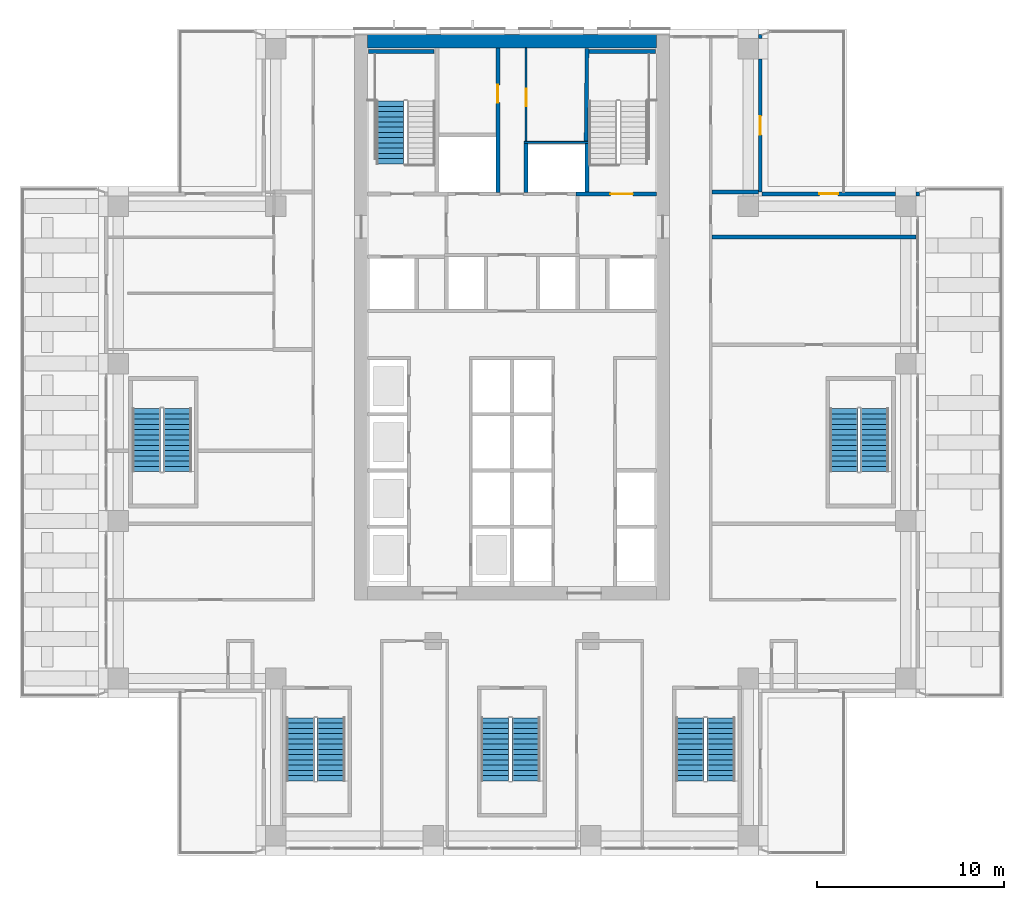
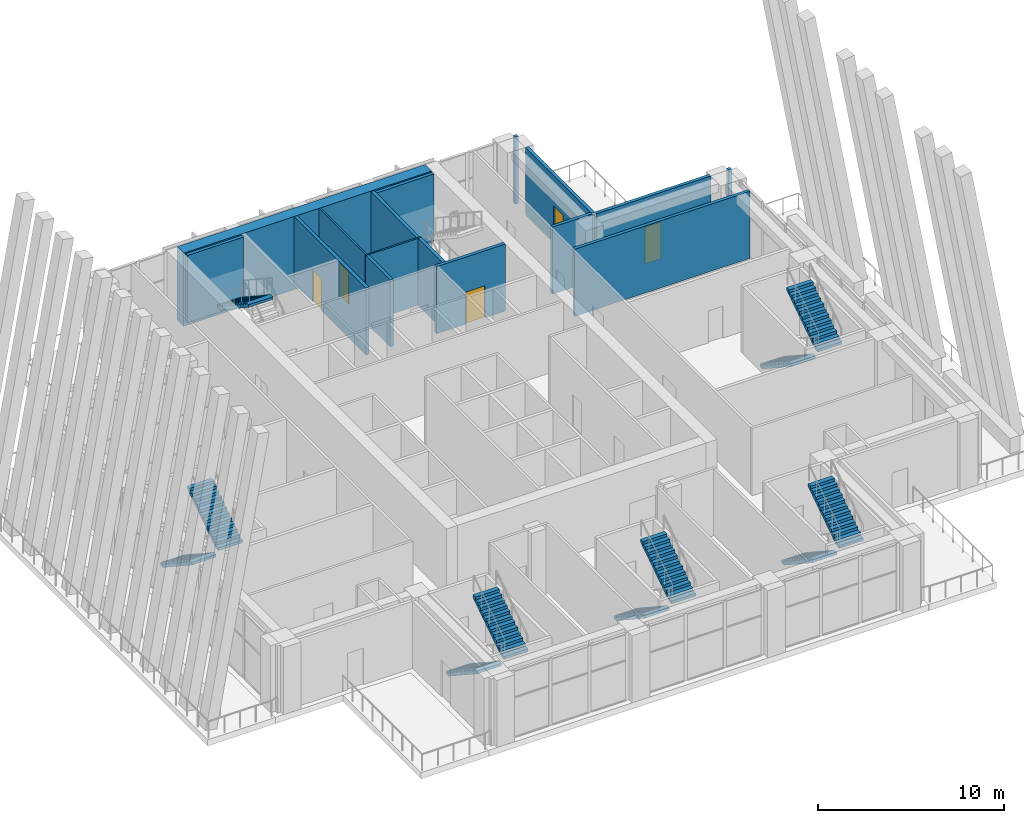
# One storey, part 12 of 19: 16 walls, 11 stair flights, 5 doors, 5 openings, 6 elements without a shape of their own.
"""IFC4 building model written with IfcOpenShell, lengths in metres."""

from ifc_helpers import new_model, si_unit, direction, frame, frame_2d, origin, place, context, subcontext, project, spatial, polyline, rectangle, outline, extrude, material, layer, layer_set, type_object, element, fill, aggregate, save


model = new_model("IFC4")

# Units and contexts
model_context = context("Model", 3, precision=1e-05, world=origin(), true_north=direction((0.0, 1.0)))
body_context = subcontext(model_context, "Body", "Model", "MODEL_VIEW")
ifc_project = project(units=[si_unit("LENGTHUNIT", "METRE"), si_unit("AREAUNIT", "SQUARE_METRE"), si_unit("VOLUMEUNIT", "CUBIC_METRE"), si_unit("PLANEANGLEUNIT", "RADIAN"), si_unit("MASSUNIT", "GRAM", prefix="KILO")], contexts=[model_context])

# Site, building, storey
site_placement = place(None, origin())
site = spatial("IfcSite", under=ifc_project, at=site_placement, CompositionType="ELEMENT")
building_placement = place(site_placement, origin())
building = spatial("IfcBuilding", under=site, at=building_placement, Name="Vermilion Ogive Tower", CompositionType="ELEMENT")
storey_placement = place(building_placement, frame((0.0, 0.0, 128.300048828125)))
storey = spatial("IfcBuildingStorey", under=building, at=storey_placement, Name="L32", CompositionType="ELEMENT", Elevation=128.300048828125)

# Walls
ifc_material_1 = material(Name="Concrete B60", Category="concrete")
ifc_layer_1 = layer(ifc_material_1, 0.699951171875)
ifc_layer_set_1 = layer_set([ifc_layer_1], Name="Core wall 700 B60")
wall_type_1 = type_object("IfcWallType", Name="Core wall 700 B60", PredefinedType="SHEAR", material=ifc_layer_set_1)
wall_1_placement = place(storey_placement, frame((-7.699951171875, 21.39990234375, -0.400146484375), z_axis=(0.0, 0.0, 1.0), x_axis=(1.0, 0.0, 0.0)))
element("IfcWall", 1, at=wall_1_placement, inside=storey, type_object=wall_type_1, Name="L32-CORE-N", PredefinedType="SHEAR", context=body_context, shape_type="SweptSolid", body=[
    extrude(rectangle(XDim=15.39990234375, YDim=0.699951171875, at=frame_2d((7.699951171875, 0.0))), origin(), (0.0, 0.0, 1.0), 4.800048828125),
])
ifc_material_2 = material(Name="Gypsum board partition on steel studs", Category="steel")
ifc_layer_2 = layer(ifc_material_2, 0.10009765625)
ifc_layer_set_2 = layer_set([ifc_layer_2], Name="Partition 100 bath")
wall_type_2 = type_object("IfcWallType", Name="Partition 100 bath", PredefinedType="PARTITIONING", material=ifc_layer_set_2)
wall_2_placement = place(storey_placement, frame((0.64990234375, 16.0, 0.0), z_axis=(0.0, 0.0, 1.0), x_axis=(1.0, 0.0, 0.0)))
element("IfcWall", 2, at=wall_2_placement, inside=storey, type_object=wall_type_2, Name="L32-CK-W-W019", PredefinedType="PARTITIONING", context=body_context, shape_type="SweptSolid", body=[
    extrude(rectangle(XDim=3.4501953125, YDim=0.10009765625, at=frame_2d((1.72509765625, 0.0))), origin(), (0.0, 0.0, 1.0), 4.39990234375),
])

# Wall, opening, door
wall_3_placement = place(storey_placement, frame((0.75, 16.050048828125, 0.0), z_axis=(0.0, 0.0, 1.0), x_axis=(0.0, 1.0, 0.0)))
wall_3 = element("IfcWall", 3, at=wall_3_placement, inside=storey, type_object=wall_type_2, Name="L32-CK-W-W031", PredefinedType="PARTITIONING", context=body_context, shape_type="SweptSolid", body=[
    extrude(rectangle(XDim=4.9990234375, YDim=0.10009765625, at=frame_2d((2.49951171875, 0.0))), origin(), (0.0, 0.0, 1.0), 4.39990234375),
])
opening_1_placement = place(wall_3_placement, frame((1.875, 0.0, 0.0)))
opening_1 = element("IfcOpeningElement", 4, at=opening_1_placement, cuts=wall_3, Name="Opening DAN008", PredefinedType="OPENING", context=body_context, shape_type="SweptSolid", body=[
    extrude(rectangle(XDim=0.949951171875, YDim=2.10009765625, at=frame_2d((0.47509765625, 1.050048828125))), frame((0.0, 0.06005859375, 0.0), z_axis=(0.0, -1.0, 0.0), x_axis=(1.0, 0.0, 0.0)), (0.0, 0.0, 1.0), 0.1201171875),
])
ifc_material_3 = material(Name="Timber door leaf", Category="wood")
door_type_1 = type_object("IfcDoorType", Name="Service door 950 x 2100 FD60", OperationType="SINGLE_SWING_LEFT", PredefinedType="DOOR", material=ifc_material_3)
door_1_placement = place(opening_1_placement, origin())
door_1 = element("IfcDoor", 5, at=door_1_placement, inside=storey, type_object=door_type_1, Name="L32-CK-D-D023", OperationType="SINGLE_SWING_LEFT", OverallHeight=2.10009765625, OverallWidth=0.949951171875, PredefinedType="DOOR", context=body_context, shape_type="SweptSolid", body=[
    extrude(rectangle(XDim=0.949951171875, YDim=2.10009765625, at=frame_2d((0.47509765625, 1.050048828125))), frame((0.0, 0.02490234375, 0.0), z_axis=(0.0, -1.0, 0.0), x_axis=(1.0, 0.0, 0.0)), (0.0, 0.0, 1.0), 0.050048828125),
])
fill(opening_1, door_1)

# Walls
ifc_material_4 = material(Name="Gypsum board partition on steel studs", Category="steel")
ifc_layer_3 = layer(ifc_material_4, 0.199951171875)
ifc_layer_set_3 = layer_set([ifc_layer_3], Name="Partition 200 party")
wall_type_3 = type_object("IfcWallType", Name="Partition 200 party", PredefinedType="PARTITIONING", material=ifc_layer_set_3)
wall_4_placement = place(storey_placement, frame((10.675048828125, 10.949951171875, 0.0), z_axis=(0.0, 0.0, 1.0), x_axis=(1.0, 0.0, 0.0)))
element("IfcWall", 6, at=wall_4_placement, inside=storey, type_object=wall_type_3, Name="L32-FS-W-W016", PredefinedType="PARTITIONING", context=body_context, shape_type="SweptSolid", body=[
    extrude(rectangle(XDim=10.875, YDim=0.199951171875, at=frame_2d((5.4375, 0.0))), origin(), (0.0, 0.0, 1.0), 4.39990234375),
])
wall_5_placement = place(storey_placement, frame((10.675048828125, 13.35009765625, 0.0), z_axis=(0.0, 0.0, 1.0), x_axis=(1.0, 0.0, 0.0)))
element("IfcWall", 7, at=wall_5_placement, inside=storey, type_object=wall_type_3, Name="L32-FS-W-W019", PredefinedType="PARTITIONING", context=body_context, shape_type="SweptSolid", body=[
    extrude(rectangle(XDim=2.474853515625, YDim=0.199951171875, at=frame_2d((1.2373046875, 0.0))), origin(), (0.0, 0.0, 1.0), 4.39990234375),
])

# Wall, opening, door
wall_6_placement = place(storey_placement, frame((-0.75, 13.324951171875, 0.0), z_axis=(0.0, 0.0, 1.0), x_axis=(0.0, 1.0, 0.0)))
wall_6 = element("IfcWall", 8, at=wall_6_placement, inside=storey, type_object=wall_type_3, Name="L32-CK-W-W028", PredefinedType="PARTITIONING", context=body_context, shape_type="SweptSolid", body=[
    extrude(rectangle(XDim=7.72412109375, YDim=0.199951171875, at=frame_2d((3.862060546875, 0.0))), origin(), (0.0, 0.0, 1.0), 4.39990234375),
])
opening_2_placement = place(wall_6_placement, frame((4.800048828125, 0.0, 0.0)))
opening_2 = element("IfcOpeningElement", 9, at=opening_2_placement, cuts=wall_6, Name="Opening DAN007", PredefinedType="OPENING", context=body_context, shape_type="SweptSolid", body=[
    extrude(rectangle(XDim=0.949951171875, YDim=2.10009765625, at=frame_2d((0.47509765625, 1.050048828125))), frame((0.0, 0.10986328125, 0.0), z_axis=(0.0, -1.0, 0.0), x_axis=(1.0, 0.0, 0.0)), (0.0, 0.0, 1.0), 0.219970703125),
])
door_2_placement = place(opening_2_placement, origin())
door_2 = element("IfcDoor", 10, at=door_2_placement, inside=storey, type_object=door_type_1, Name="L32-CK-D-D022", OperationType="SINGLE_SWING_RIGHT", OverallHeight=2.10009765625, OverallWidth=0.949951171875, PredefinedType="DOOR", context=body_context, shape_type="SweptSolid", body=[
    extrude(rectangle(XDim=0.949951171875, YDim=2.10009765625, at=frame_2d((0.47509765625, 1.050048828125))), frame((0.0, 0.02490234375, 0.0), z_axis=(0.0, -1.0, 0.0), x_axis=(1.0, 0.0, 0.0)), (0.0, 0.0, 1.0), 0.050048828125),
])
fill(opening_2, door_2)

# Wall
wall_7_placement = place(storey_placement, frame((0.75, 13.324951171875, 0.0), z_axis=(0.0, 0.0, 1.0), x_axis=(0.0, 1.0, 0.0)))
element("IfcWall", 11, at=wall_7_placement, inside=storey, type_object=wall_type_3, Name="L32-CK-W-W030", PredefinedType="PARTITIONING", context=body_context, shape_type="SweptSolid", body=[
    extrude(rectangle(XDim=2.625, YDim=0.199951171875, at=frame_2d((1.3125, 0.0))), origin(), (0.0, 0.0, 1.0), 4.39990234375),
])

# Wall, opening, door
ifc_material_5 = material(Name="Concrete B60", Category="concrete")
ifc_layer_4 = layer(ifc_material_5, 0.199951171875)
ifc_layer_set_4 = layer_set([ifc_layer_4], Name="Stair shaft wall 200 Concrete B60")
wall_type_4 = type_object("IfcWallType", Name="Stair shaft wall 200 Concrete B60", PredefinedType="SOLIDWALL", material=ifc_layer_set_4)
wall_8_placement = place(storey_placement, frame((3.425048828125, 13.25, 0.0), z_axis=(0.0, 0.0, 1.0), x_axis=(1.0, 0.0, 0.0)))
wall_8 = element("IfcWall", 12, at=wall_8_placement, inside=storey, type_object=wall_type_4, Name="L32-CK-W-W018", PredefinedType="SOLIDWALL", context=body_context, shape_type="SweptSolid", body=[
    extrude(rectangle(XDim=4.27392578125, YDim=0.199951171875, at=frame_2d((2.136962890625, 0.0))), origin(), (0.0, 0.0, 1.0), 4.39990234375),
])
opening_3_placement = place(wall_8_placement, frame((1.824951171875, 0.0, 0.0)))
opening_3 = element("IfcOpeningElement", 13, at=opening_3_placement, cuts=wall_8, Name="Opening DAN010", PredefinedType="OPENING", context=body_context, shape_type="SweptSolid", body=[
    extrude(rectangle(XDim=1.199951171875, YDim=2.10009765625, at=frame_2d((0.60009765625, 1.050048828125))), frame((0.0, 0.10986328125, 0.0), z_axis=(0.0, -1.0, 0.0), x_axis=(1.0, 0.0, 0.0)), (0.0, 0.0, 1.0), 0.219970703125),
])
ifc_material_6 = material(Name="Timber door leaf", Category="wood")
door_type_2 = type_object("IfcDoorType", Name="Stair door 1200 x 2100 FD60S", OperationType="SINGLE_SWING_LEFT", PredefinedType="DOOR", material=ifc_material_6)
door_3_placement = place(opening_3_placement, origin())
door_3 = element("IfcDoor", 14, at=door_3_placement, inside=storey, type_object=door_type_2, Name="L32-CK-D-D015", OperationType="SINGLE_SWING_RIGHT", OverallHeight=2.10009765625, OverallWidth=1.199951171875, PredefinedType="DOOR", context=body_context, shape_type="SweptSolid", body=[
    extrude(rectangle(XDim=1.199951171875, YDim=2.10009765625, at=frame_2d((0.60009765625, 1.050048828125))), frame((0.0, 0.02490234375, 0.0), z_axis=(0.0, -1.0, 0.0), x_axis=(1.0, 0.0, 0.0)), (0.0, 0.0, 1.0), 0.050048828125),
])
fill(opening_3, door_3)

# Walls
wall_9_placement = place(storey_placement, frame((4.0, 13.35009765625, 0.0), z_axis=(0.0, 0.0, 1.0), x_axis=(0.0, 1.0, 0.0)))
element("IfcWall", 15, at=wall_9_placement, inside=storey, type_object=wall_type_4, Name="L32-CK-W-W036", PredefinedType="SOLIDWALL", context=body_context, shape_type="SweptSolid", body=[
    extrude(rectangle(XDim=2.599853515625, YDim=0.199951171875, at=frame_2d((1.2998046875, 0.0))), origin(), (0.0, 0.0, 1.0), 4.39990234375),
])
wall_10_placement = place(storey_placement, frame((3.949951171875, 16.050048828125, 0.0), z_axis=(0.0, 0.0, 1.0), x_axis=(0.010112452169, 0.999948867848, 0.0)))
element("IfcWall", 16, at=wall_10_placement, inside=storey, type_object=wall_type_4, Name="L32-CK-W-W037", PredefinedType="SOLIDWALL", context=body_context, shape_type="SweptSolid", body=[
    extrude(rectangle(XDim=4.94921875, YDim=0.199951171875, at=frame_2d((2.474609375, 0.0))), origin(), (0.0, 0.0, 1.0), 4.39990234375),
])
wall_11_placement = place(storey_placement, frame((-7.64990234375, 20.85009765625, 0.0), z_axis=(0.0, 0.0, 1.0), x_axis=(1.0, 0.0, 0.0)))
element("IfcWall", 17, at=wall_11_placement, inside=storey, type_object=wall_type_4, Name="L32-SW-R022-N1", PredefinedType="SOLIDWALL", context=body_context, shape_type="SweptSolid", body=[
    extrude(rectangle(XDim=3.5, YDim=0.199951171875, at=frame_2d((1.75, 0.0))), origin(), (0.0, 0.0, 1.0), 4.39990234375),
])
wall_12_placement = place(storey_placement, frame((4.10009765625, 20.85009765625, 0.0), z_axis=(0.0, 0.0, 1.0), x_axis=(1.0, 0.0, 0.0)))
element("IfcWall", 18, at=wall_12_placement, inside=storey, type_object=wall_type_4, Name="L32-SW-R026-N1", PredefinedType="SOLIDWALL", context=body_context, shape_type="SweptSolid", body=[
    extrude(rectangle(XDim=3.5498046875, YDim=0.199951171875, at=frame_2d((1.77490234375, 0.0))), origin(), (0.0, 0.0, 1.0), 4.39990234375),
])
ifc_material_7 = material(Name="Aluminium window wall framing", Category="aluminium")
ifc_layer_5 = layer(ifc_material_7, 0.199951171875)
ifc_layer_set_5 = layer_set([ifc_layer_5], Name="Window wall")
wall_type_5 = type_object("IfcWallType", Name="Window wall", PredefinedType="STANDARD", material=ifc_layer_set_5)
wall_13_placement = place(storey_placement, frame((21.64990234375, 13.14990234375, 0.0), z_axis=(0.0, 0.0, 1.0), x_axis=(0.0, 1.0, 0.0)))
element("IfcWall", 19, at=wall_13_placement, inside=storey, type_object=wall_type_5, Name="Window wall E4", PredefinedType="STANDARD", context=body_context, shape_type="SweptSolid", body=[
    extrude(rectangle(XDim=0.2001953125, YDim=0.199951171875, at=frame_2d((0.10009765625, 0.0))), origin(), (0.0, 0.0, 1.0), 4.39990234375),
])

# Wall, opening, door
wall_14_placement = place(storey_placement, frame((20.449951171875, 13.25, 0.0), z_axis=(0.0, 0.0, 1.0), x_axis=(-1.0, 0.0, 0.0)))
wall_14 = element("IfcWall", 20, at=wall_14_placement, inside=storey, type_object=wall_type_5, Name="Window wall X31", PredefinedType="STANDARD", context=body_context, shape_type="SweptSolid", body=[
    extrude(rectangle(XDim=7.099853515625, YDim=0.199951171875, at=frame_2d((3.5498046875, 0.0))), origin(), (0.0, 0.0, 1.0), 4.39990234375),
])
opening_4_placement = place(wall_14_placement, frame((3.050048828125, 0.0, 0.0)))
opening_4 = element("IfcOpeningElement", 21, at=opening_4_placement, cuts=wall_14, Name="Opening D1-X3X", PredefinedType="OPENING", context=body_context, shape_type="SweptSolid", body=[
    extrude(rectangle(XDim=1.0, YDim=2.39990234375, at=frame_2d((0.5, 1.199951171875))), frame((0.0, 0.10986328125, 0.0), z_axis=(0.0, -1.0, 0.0), x_axis=(1.0, 0.0, 0.0)), (0.0, 0.0, 1.0), 0.219970703125),
])
ifc_material_8 = material(Name="Aluminium framed glazed door", Category="aluminium")
door_type_3 = type_object("IfcDoorType", Name="Balcony door D1", OperationType="SINGLE_SWING_LEFT", PredefinedType="DOOR", material=ifc_material_8)
door_4_placement = place(opening_4_placement, origin())
door_4 = element("IfcDoor", 22, at=door_4_placement, inside=storey, type_object=door_type_3, Name="Terrace door X3X", OperationType="SINGLE_SWING_LEFT", OverallHeight=2.39990234375, OverallWidth=1.0, PredefinedType="DOOR", context=body_context, shape_type="SweptSolid", body=[
    extrude(rectangle(XDim=1.0, YDim=2.39990234375, at=frame_2d((0.5, 1.199951171875))), frame((0.0, 0.02490234375, 0.0), z_axis=(0.0, -1.0, 0.0), x_axis=(1.0, 0.0, 0.0)), (0.0, 0.0, 1.0), 0.050048828125),
])
fill(opening_4, door_4)

wall_15_placement = place(storey_placement, frame((13.25, 13.35009765625, 0.0), z_axis=(0.0, 0.0, 1.0), x_axis=(0.0, 1.0, 0.0)))
wall_15 = element("IfcWall", 23, at=wall_15_placement, inside=storey, type_object=wall_type_5, Name="Window wall X41", PredefinedType="STANDARD", context=body_context, shape_type="SweptSolid", body=[
    extrude(rectangle(XDim=7.099853515625, YDim=0.199951171875, at=frame_2d((3.5498046875, 0.0))), origin(), (0.0, 0.0, 1.0), 4.39990234375),
])
opening_5_placement = place(wall_15_placement, frame((3.050048828125, 0.0, 0.0)))
opening_5 = element("IfcOpeningElement", 24, at=opening_5_placement, cuts=wall_15, Name="Opening D1-X4X", PredefinedType="OPENING", context=body_context, shape_type="SweptSolid", body=[
    extrude(rectangle(XDim=1.0, YDim=2.39990234375, at=frame_2d((0.5, 1.199951171875))), frame((0.0, 0.10986328125, 0.0), z_axis=(0.0, -1.0, 0.0), x_axis=(1.0, 0.0, 0.0)), (0.0, 0.0, 1.0), 0.219970703125),
])
door_5_placement = place(opening_5_placement, origin())
door_5 = element("IfcDoor", 25, at=door_5_placement, inside=storey, type_object=door_type_3, Name="Terrace door X4X", OperationType="SINGLE_SWING_LEFT", OverallHeight=2.39990234375, OverallWidth=1.0, PredefinedType="DOOR", context=body_context, shape_type="SweptSolid", body=[
    extrude(rectangle(XDim=1.0, YDim=2.39990234375, at=frame_2d((0.5, 1.199951171875))), frame((0.0, 0.02490234375, 0.0), z_axis=(0.0, -1.0, 0.0), x_axis=(1.0, 0.0, 0.0)), (0.0, 0.0, 1.0), 0.050048828125),
])
fill(opening_5, door_5)

# Wall
wall_16_placement = place(storey_placement, frame((13.25, 21.550048828125, 0.0), z_axis=(0.0, 0.0, 1.0), x_axis=(0.0, 1.0, 0.0)))
element("IfcWall", 26, at=wall_16_placement, inside=storey, type_object=wall_type_5, Name="Window wall X42", PredefinedType="STANDARD", context=body_context, shape_type="SweptSolid", body=[
    extrude(rectangle(XDim=0.199951171875, YDim=0.199951171875, at=frame_2d((0.10009765625, 0.0))), origin(), (0.0, 0.0, 1.0), 4.39990234375),
])

# Stair, stair flight
ifc_material_9 = material(Name="Concrete B40", Category="concrete")
stair_type = type_object("IfcStairType", Name="Exit stair 1500", PredefinedType="HALF_TURN_STAIR", material=ifc_material_9)
stair_1_placement = place(storey_placement, origin())
stair_1 = element("IfcStair", 27, at=stair_1_placement, inside=storey, type_object=stair_type, Name="L32 Exit Stair ST1", PredefinedType="HALF_TURN_STAIR")
ifc_material_10 = material(Name="Concrete B40", Category="concrete")
stair_flight_type = type_object("IfcStairFlightType", Name="Stair flight 1500", PredefinedType="STRAIGHT", material=ifc_material_10)
stair_flight_1_placement = place(storey_placement, frame((-6.5, 18.2099609375, 2.39990234375), z_axis=(0.0, 0.0, 1.0), x_axis=(0.0, -1.0, 0.0)))
stair_flight_1 = element("IfcStairFlight", 28, at=stair_flight_1_placement, type_object=stair_flight_type, Name="ST1 flight 2", NumberOfRisers=13, NumberOfTreads=12, PredefinedType="STRAIGHT", RiserHeight=0.184615385, TreadLength=0.28, context=body_context, shape_type="SweptSolid", body=[
    extrude(outline(polyline([(0.0, 0.0), (0.0, 0.1845703125), (0.280029296875, 0.1845703125), (0.280029296875, 0.369140625), (0.56005859375, 0.369140625), (0.56005859375, 0.553955078125), (0.840087890625, 0.553955078125), (0.840087890625, 0.738525390625), (1.1201171875, 0.738525390625), (1.1201171875, 0.923095703125), (1.39990234375, 0.923095703125), (1.39990234375, 1.107666015625), (1.679931640625, 1.107666015625), (1.679931640625, 1.292236328125), (1.9599609375, 1.292236328125), (1.9599609375, 1.476806640625), (2.239990234375, 1.476806640625), (2.239990234375, 1.66162109375), (2.52001953125, 1.66162109375), (2.52001953125, 1.84619140625), (2.800048828125, 1.84619140625), (2.800048828125, 2.03076171875), (3.080078125, 2.03076171875), (3.080078125, 2.21533203125), (3.360107421875, 2.21533203125), (3.360107421875, 2.39990234375), (3.360107421875, 2.035888671875), (0.272216796875, 0.0), (0.0, 0.0)])), frame((0.0, 0.75, 0.0), z_axis=(0.0, -1.0, 0.0), x_axis=(1.0, 0.0, 0.0)), (0.0, 0.0, 1.0), 1.5),
])
aggregate(stair_1, [stair_flight_1])

# Stair, stair flights
stair_2_placement = place(storey_placement, origin())
stair_2 = element("IfcStair", 29, at=stair_2_placement, inside=storey, type_object=stair_type, Name="L32 Exit Stair ST3", PredefinedType="HALF_TURN_STAIR")
stair_flight_2_placement = place(storey_placement, frame((-11.300048828125, -14.699951171875, 0.0), z_axis=(0.0, 0.0, 1.0), x_axis=(0.0, -1.0, 0.0)))
stair_flight_2 = element("IfcStairFlight", 30, at=stair_flight_2_placement, type_object=stair_flight_type, Name="ST3 flight 1", NumberOfRisers=13, NumberOfTreads=12, PredefinedType="STRAIGHT", RiserHeight=0.184615385, TreadLength=0.28, context=body_context, shape_type="SweptSolid", body=[
    extrude(outline(polyline([(0.0, 0.0), (0.0, 0.1845703125), (0.280029296875, 0.1845703125), (0.280029296875, 0.369140625), (0.56005859375, 0.369140625), (0.56005859375, 0.553955078125), (0.840087890625, 0.553955078125), (0.840087890625, 0.738525390625), (1.1201171875, 0.738525390625), (1.1201171875, 0.923095703125), (1.39990234375, 0.923095703125), (1.39990234375, 1.107666015625), (1.679931640625, 1.107666015625), (1.679931640625, 1.292236328125), (1.9599609375, 1.292236328125), (1.9599609375, 1.476806640625), (2.239990234375, 1.476806640625), (2.239990234375, 1.66162109375), (2.52001953125, 1.66162109375), (2.52001953125, 1.84619140625), (2.800048828125, 1.84619140625), (2.800048828125, 2.03076171875), (3.080078125, 2.03076171875), (3.080078125, 2.21533203125), (3.360107421875, 2.21533203125), (3.360107421875, 2.39990234375), (3.360107421875, 2.035888671875), (0.272216796875, 0.0), (0.0, 0.0)])), frame((0.0, 0.75, 0.0), z_axis=(0.0, -1.0, 0.0), x_axis=(1.0, 0.0, 0.0)), (0.0, 0.0, 1.0), 1.5),
])
stair_flight_3_placement = place(storey_placement, frame((-9.64990234375, -18.06005859375, 2.39990234375), z_axis=(0.0, 0.0, 1.0), x_axis=(0.0, 1.0, 0.0)))
stair_flight_3 = element("IfcStairFlight", 31, at=stair_flight_3_placement, type_object=stair_flight_type, Name="ST3 flight 2", NumberOfRisers=13, NumberOfTreads=12, PredefinedType="STRAIGHT", RiserHeight=0.184615385, TreadLength=0.28, context=body_context, shape_type="SweptSolid", body=[
    extrude(outline(polyline([(0.0, 0.0), (0.0, 0.1845703125), (0.280029296875, 0.1845703125), (0.280029296875, 0.369140625), (0.56005859375, 0.369140625), (0.56005859375, 0.553955078125), (0.840087890625, 0.553955078125), (0.840087890625, 0.738525390625), (1.1201171875, 0.738525390625), (1.1201171875, 0.923095703125), (1.39990234375, 0.923095703125), (1.39990234375, 1.107666015625), (1.679931640625, 1.107666015625), (1.679931640625, 1.292236328125), (1.9599609375, 1.292236328125), (1.9599609375, 1.476806640625), (2.239990234375, 1.476806640625), (2.239990234375, 1.66162109375), (2.52001953125, 1.66162109375), (2.52001953125, 1.84619140625), (2.800048828125, 1.84619140625), (2.800048828125, 2.03076171875), (3.080078125, 2.03076171875), (3.080078125, 2.21533203125), (3.360107421875, 2.21533203125), (3.360107421875, 2.39990234375), (3.360107421875, 2.035888671875), (0.272216796875, 0.0), (0.0, 0.0)])), frame((0.0, 0.75, 0.0), z_axis=(0.0, -1.0, 0.0), x_axis=(1.0, 0.0, 0.0)), (0.0, 0.0, 1.0), 1.5),
])
aggregate(stair_2, [stair_flight_2, stair_flight_3])

stair_3_placement = place(storey_placement, origin())
stair_3 = element("IfcStair", 32, at=stair_3_placement, inside=storey, type_object=stair_type, Name="L32 Exit Stair ST4", PredefinedType="HALF_TURN_STAIR")
stair_flight_4_placement = place(storey_placement, frame((-0.89990234375, -14.699951171875, 0.0), z_axis=(0.0, 0.0, 1.0), x_axis=(0.0, -1.0, 0.0)))
stair_flight_4 = element("IfcStairFlight", 33, at=stair_flight_4_placement, type_object=stair_flight_type, Name="ST4 flight 1", NumberOfRisers=13, NumberOfTreads=12, PredefinedType="STRAIGHT", RiserHeight=0.184615385, TreadLength=0.28, context=body_context, shape_type="SweptSolid", body=[
    extrude(outline(polyline([(0.0, 0.0), (0.0, 0.1845703125), (0.280029296875, 0.1845703125), (0.280029296875, 0.369140625), (0.56005859375, 0.369140625), (0.56005859375, 0.553955078125), (0.840087890625, 0.553955078125), (0.840087890625, 0.738525390625), (1.1201171875, 0.738525390625), (1.1201171875, 0.923095703125), (1.39990234375, 0.923095703125), (1.39990234375, 1.107666015625), (1.679931640625, 1.107666015625), (1.679931640625, 1.292236328125), (1.9599609375, 1.292236328125), (1.9599609375, 1.476806640625), (2.239990234375, 1.476806640625), (2.239990234375, 1.66162109375), (2.52001953125, 1.66162109375), (2.52001953125, 1.84619140625), (2.800048828125, 1.84619140625), (2.800048828125, 2.03076171875), (3.080078125, 2.03076171875), (3.080078125, 2.21533203125), (3.360107421875, 2.21533203125), (3.360107421875, 2.39990234375), (3.360107421875, 2.035888671875), (0.272216796875, 0.0), (0.0, 0.0)])), frame((0.0, 0.75, 0.0), z_axis=(0.0, -1.0, 0.0), x_axis=(1.0, 0.0, 0.0)), (0.0, 0.0, 1.0), 1.5),
])
stair_flight_5_placement = place(storey_placement, frame((0.75, -18.06005859375, 2.39990234375), z_axis=(0.0, 0.0, 1.0), x_axis=(0.0, 1.0, 0.0)))
stair_flight_5 = element("IfcStairFlight", 34, at=stair_flight_5_placement, type_object=stair_flight_type, Name="ST4 flight 2", NumberOfRisers=13, NumberOfTreads=12, PredefinedType="STRAIGHT", RiserHeight=0.184615385, TreadLength=0.28, context=body_context, shape_type="SweptSolid", body=[
    extrude(outline(polyline([(0.0, 0.0), (0.0, 0.1845703125), (0.280029296875, 0.1845703125), (0.280029296875, 0.369140625), (0.56005859375, 0.369140625), (0.56005859375, 0.553955078125), (0.840087890625, 0.553955078125), (0.840087890625, 0.738525390625), (1.1201171875, 0.738525390625), (1.1201171875, 0.923095703125), (1.39990234375, 0.923095703125), (1.39990234375, 1.107666015625), (1.679931640625, 1.107666015625), (1.679931640625, 1.292236328125), (1.9599609375, 1.292236328125), (1.9599609375, 1.476806640625), (2.239990234375, 1.476806640625), (2.239990234375, 1.66162109375), (2.52001953125, 1.66162109375), (2.52001953125, 1.84619140625), (2.800048828125, 1.84619140625), (2.800048828125, 2.03076171875), (3.080078125, 2.03076171875), (3.080078125, 2.21533203125), (3.360107421875, 2.21533203125), (3.360107421875, 2.39990234375), (3.360107421875, 2.035888671875), (0.272216796875, 0.0), (0.0, 0.0)])), frame((0.0, 0.75, 0.0), z_axis=(0.0, -1.0, 0.0), x_axis=(1.0, 0.0, 0.0)), (0.0, 0.0, 1.0), 1.5),
])
aggregate(stair_3, [stair_flight_4, stair_flight_5])

stair_4_placement = place(storey_placement, origin())
stair_4 = element("IfcStair", 35, at=stair_4_placement, inside=storey, type_object=stair_type, Name="L32 Exit Stair ST5", PredefinedType="HALF_TURN_STAIR")
stair_flight_6_placement = place(storey_placement, frame((9.5, -14.699951171875, 0.0), z_axis=(0.0, 0.0, 1.0), x_axis=(0.0, -1.0, 0.0)))
stair_flight_6 = element("IfcStairFlight", 36, at=stair_flight_6_placement, type_object=stair_flight_type, Name="ST5 flight 1", NumberOfRisers=13, NumberOfTreads=12, PredefinedType="STRAIGHT", RiserHeight=0.184615385, TreadLength=0.28, context=body_context, shape_type="SweptSolid", body=[
    extrude(outline(polyline([(0.0, 0.0), (0.0, 0.1845703125), (0.280029296875, 0.1845703125), (0.280029296875, 0.369140625), (0.56005859375, 0.369140625), (0.56005859375, 0.553955078125), (0.840087890625, 0.553955078125), (0.840087890625, 0.738525390625), (1.1201171875, 0.738525390625), (1.1201171875, 0.923095703125), (1.39990234375, 0.923095703125), (1.39990234375, 1.107666015625), (1.679931640625, 1.107666015625), (1.679931640625, 1.292236328125), (1.9599609375, 1.292236328125), (1.9599609375, 1.476806640625), (2.239990234375, 1.476806640625), (2.239990234375, 1.66162109375), (2.52001953125, 1.66162109375), (2.52001953125, 1.84619140625), (2.800048828125, 1.84619140625), (2.800048828125, 2.03076171875), (3.080078125, 2.03076171875), (3.080078125, 2.21533203125), (3.360107421875, 2.21533203125), (3.360107421875, 2.39990234375), (3.360107421875, 2.035888671875), (0.272216796875, 0.0), (0.0, 0.0)])), frame((0.0, 0.75, 0.0), z_axis=(0.0, -1.0, 0.0), x_axis=(1.0, 0.0, 0.0)), (0.0, 0.0, 1.0), 1.5),
])
stair_flight_7_placement = place(storey_placement, frame((11.14990234375, -18.06005859375, 2.39990234375), z_axis=(0.0, 0.0, 1.0), x_axis=(0.0, 1.0, 0.0)))
stair_flight_7 = element("IfcStairFlight", 37, at=stair_flight_7_placement, type_object=stair_flight_type, Name="ST5 flight 2", NumberOfRisers=13, NumberOfTreads=12, PredefinedType="STRAIGHT", RiserHeight=0.184615385, TreadLength=0.28, context=body_context, shape_type="SweptSolid", body=[
    extrude(outline(polyline([(0.0, 0.0), (0.0, 0.1845703125), (0.280029296875, 0.1845703125), (0.280029296875, 0.369140625), (0.56005859375, 0.369140625), (0.56005859375, 0.553955078125), (0.840087890625, 0.553955078125), (0.840087890625, 0.738525390625), (1.1201171875, 0.738525390625), (1.1201171875, 0.923095703125), (1.39990234375, 0.923095703125), (1.39990234375, 1.107666015625), (1.679931640625, 1.107666015625), (1.679931640625, 1.292236328125), (1.9599609375, 1.292236328125), (1.9599609375, 1.476806640625), (2.239990234375, 1.476806640625), (2.239990234375, 1.66162109375), (2.52001953125, 1.66162109375), (2.52001953125, 1.84619140625), (2.800048828125, 1.84619140625), (2.800048828125, 2.03076171875), (3.080078125, 2.03076171875), (3.080078125, 2.21533203125), (3.360107421875, 2.21533203125), (3.360107421875, 2.39990234375), (3.360107421875, 2.035888671875), (0.272216796875, 0.0), (0.0, 0.0)])), frame((0.0, 0.75, 0.0), z_axis=(0.0, -1.0, 0.0), x_axis=(1.0, 0.0, 0.0)), (0.0, 0.0, 1.0), 1.5),
])
aggregate(stair_4, [stair_flight_6, stair_flight_7])

stair_5_placement = place(storey_placement, origin())
stair_5 = element("IfcStair", 38, at=stair_5_placement, inside=storey, type_object=stair_type, Name="L32 Exit Stair ST8", PredefinedType="HALF_TURN_STAIR")
stair_flight_8_placement = place(storey_placement, frame((17.699951171875, 1.800048828125, 0.0), z_axis=(0.0, 0.0, 1.0), x_axis=(0.0, -1.0, 0.0)))
stair_flight_8 = element("IfcStairFlight", 39, at=stair_flight_8_placement, type_object=stair_flight_type, Name="ST8 flight 1", NumberOfRisers=13, NumberOfTreads=12, PredefinedType="STRAIGHT", RiserHeight=0.184615385, TreadLength=0.28, context=body_context, shape_type="SweptSolid", body=[
    extrude(outline(polyline([(0.0, 0.0), (0.0, 0.1845703125), (0.280029296875, 0.1845703125), (0.280029296875, 0.369140625), (0.56005859375, 0.369140625), (0.56005859375, 0.553955078125), (0.840087890625, 0.553955078125), (0.840087890625, 0.738525390625), (1.1201171875, 0.738525390625), (1.1201171875, 0.923095703125), (1.39990234375, 0.923095703125), (1.39990234375, 1.107666015625), (1.679931640625, 1.107666015625), (1.679931640625, 1.292236328125), (1.9599609375, 1.292236328125), (1.9599609375, 1.476806640625), (2.239990234375, 1.476806640625), (2.239990234375, 1.66162109375), (2.52001953125, 1.66162109375), (2.52001953125, 1.84619140625), (2.800048828125, 1.84619140625), (2.800048828125, 2.03076171875), (3.080078125, 2.03076171875), (3.080078125, 2.21533203125), (3.360107421875, 2.21533203125), (3.360107421875, 2.39990234375), (3.360107421875, 2.035888671875), (0.272216796875, 0.0), (0.0, 0.0)])), frame((0.0, 0.75, 0.0), z_axis=(0.0, -1.0, 0.0), x_axis=(1.0, 0.0, 0.0)), (0.0, 0.0, 1.0), 1.5),
])
stair_flight_9_placement = place(storey_placement, frame((19.35009765625, -1.56005859375, 2.39990234375), z_axis=(0.0, 0.0, 1.0), x_axis=(0.0, 1.0, 0.0)))
stair_flight_9 = element("IfcStairFlight", 40, at=stair_flight_9_placement, type_object=stair_flight_type, Name="ST8 flight 2", NumberOfRisers=13, NumberOfTreads=12, PredefinedType="STRAIGHT", RiserHeight=0.184615385, TreadLength=0.28, context=body_context, shape_type="SweptSolid", body=[
    extrude(outline(polyline([(0.0, 0.0), (0.0, 0.1845703125), (0.280029296875, 0.1845703125), (0.280029296875, 0.369140625), (0.56005859375, 0.369140625), (0.56005859375, 0.553955078125), (0.840087890625, 0.553955078125), (0.840087890625, 0.738525390625), (1.1201171875, 0.738525390625), (1.1201171875, 0.923095703125), (1.39990234375, 0.923095703125), (1.39990234375, 1.107666015625), (1.679931640625, 1.107666015625), (1.679931640625, 1.292236328125), (1.9599609375, 1.292236328125), (1.9599609375, 1.476806640625), (2.239990234375, 1.476806640625), (2.239990234375, 1.66162109375), (2.52001953125, 1.66162109375), (2.52001953125, 1.84619140625), (2.800048828125, 1.84619140625), (2.800048828125, 2.03076171875), (3.080078125, 2.03076171875), (3.080078125, 2.21533203125), (3.360107421875, 2.21533203125), (3.360107421875, 2.39990234375), (3.360107421875, 2.035888671875), (0.272216796875, 0.0), (0.0, 0.0)])), frame((0.0, 0.75, 0.0), z_axis=(0.0, -1.0, 0.0), x_axis=(1.0, 0.0, 0.0)), (0.0, 0.0, 1.0), 1.5),
])
aggregate(stair_5, [stair_flight_8, stair_flight_9])

stair_6_placement = place(storey_placement, origin())
stair_6 = element("IfcStair", 41, at=stair_6_placement, inside=storey, type_object=stair_type, Name="L32 Exit Stair ST9", PredefinedType="HALF_TURN_STAIR")
stair_flight_10_placement = place(storey_placement, frame((-19.5, 1.800048828125, 0.0), z_axis=(0.0, 0.0, 1.0), x_axis=(0.0, -1.0, 0.0)))
stair_flight_10 = element("IfcStairFlight", 42, at=stair_flight_10_placement, type_object=stair_flight_type, Name="ST9 flight 1", NumberOfRisers=13, NumberOfTreads=12, PredefinedType="STRAIGHT", RiserHeight=0.184615385, TreadLength=0.28, context=body_context, shape_type="SweptSolid", body=[
    extrude(outline(polyline([(0.0, 0.0), (0.0, 0.1845703125), (0.280029296875, 0.1845703125), (0.280029296875, 0.369140625), (0.56005859375, 0.369140625), (0.56005859375, 0.553955078125), (0.840087890625, 0.553955078125), (0.840087890625, 0.738525390625), (1.1201171875, 0.738525390625), (1.1201171875, 0.923095703125), (1.39990234375, 0.923095703125), (1.39990234375, 1.107666015625), (1.679931640625, 1.107666015625), (1.679931640625, 1.292236328125), (1.9599609375, 1.292236328125), (1.9599609375, 1.476806640625), (2.239990234375, 1.476806640625), (2.239990234375, 1.66162109375), (2.52001953125, 1.66162109375), (2.52001953125, 1.84619140625), (2.800048828125, 1.84619140625), (2.800048828125, 2.03076171875), (3.080078125, 2.03076171875), (3.080078125, 2.21533203125), (3.360107421875, 2.21533203125), (3.360107421875, 2.39990234375), (3.360107421875, 2.035888671875), (0.272216796875, 0.0), (0.0, 0.0)])), frame((0.0, 0.75, 0.0), z_axis=(0.0, -1.0, 0.0), x_axis=(1.0, 0.0, 0.0)), (0.0, 0.0, 1.0), 1.5),
])
stair_flight_11_placement = place(storey_placement, frame((-17.85009765625, -1.56005859375, 2.39990234375), z_axis=(0.0, 0.0, 1.0), x_axis=(0.0, 1.0, 0.0)))
stair_flight_11 = element("IfcStairFlight", 43, at=stair_flight_11_placement, type_object=stair_flight_type, Name="ST9 flight 2", NumberOfRisers=13, NumberOfTreads=12, PredefinedType="STRAIGHT", RiserHeight=0.184615385, TreadLength=0.28, context=body_context, shape_type="SweptSolid", body=[
    extrude(outline(polyline([(0.0, 0.0), (0.0, 0.1845703125), (0.280029296875, 0.1845703125), (0.280029296875, 0.369140625), (0.56005859375, 0.369140625), (0.56005859375, 0.553955078125), (0.840087890625, 0.553955078125), (0.840087890625, 0.738525390625), (1.1201171875, 0.738525390625), (1.1201171875, 0.923095703125), (1.39990234375, 0.923095703125), (1.39990234375, 1.107666015625), (1.679931640625, 1.107666015625), (1.679931640625, 1.292236328125), (1.9599609375, 1.292236328125), (1.9599609375, 1.476806640625), (2.239990234375, 1.476806640625), (2.239990234375, 1.66162109375), (2.52001953125, 1.66162109375), (2.52001953125, 1.84619140625), (2.800048828125, 1.84619140625), (2.800048828125, 2.03076171875), (3.080078125, 2.03076171875), (3.080078125, 2.21533203125), (3.360107421875, 2.21533203125), (3.360107421875, 2.39990234375), (3.360107421875, 2.035888671875), (0.272216796875, 0.0), (0.0, 0.0)])), frame((0.0, 0.75, 0.0), z_axis=(0.0, -1.0, 0.0), x_axis=(1.0, 0.0, 0.0)), (0.0, 0.0, 1.0), 1.5),
])
aggregate(stair_6, [stair_flight_10, stair_flight_11])

save(model, "model.ifc")
